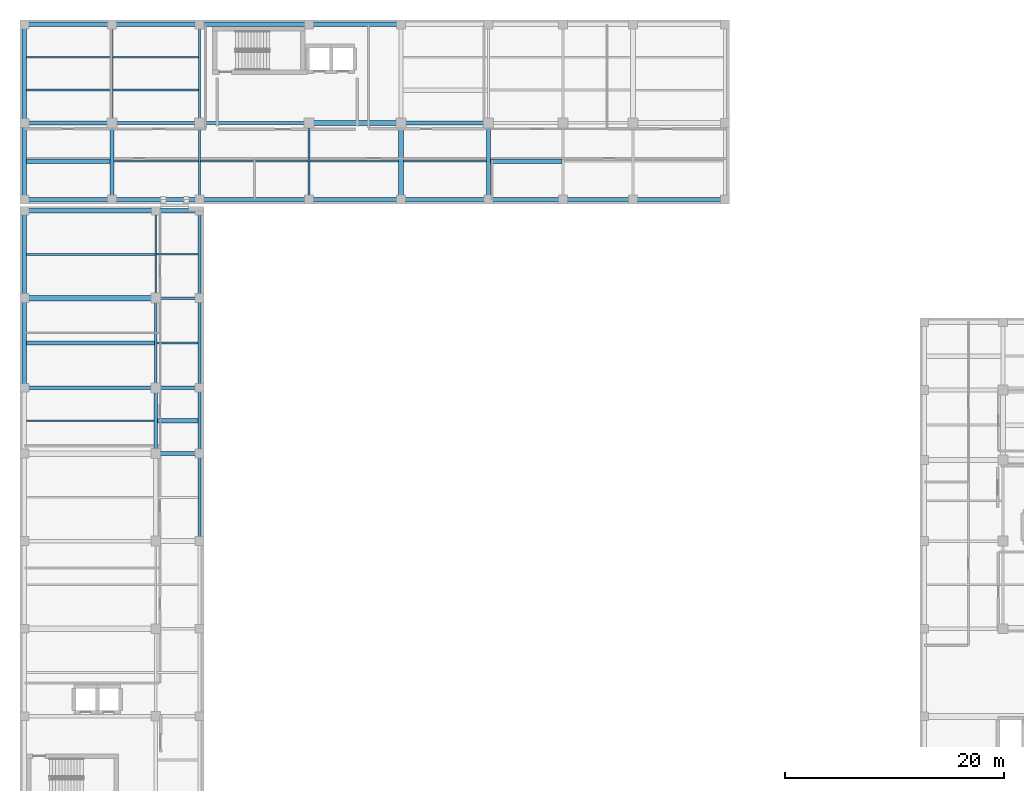
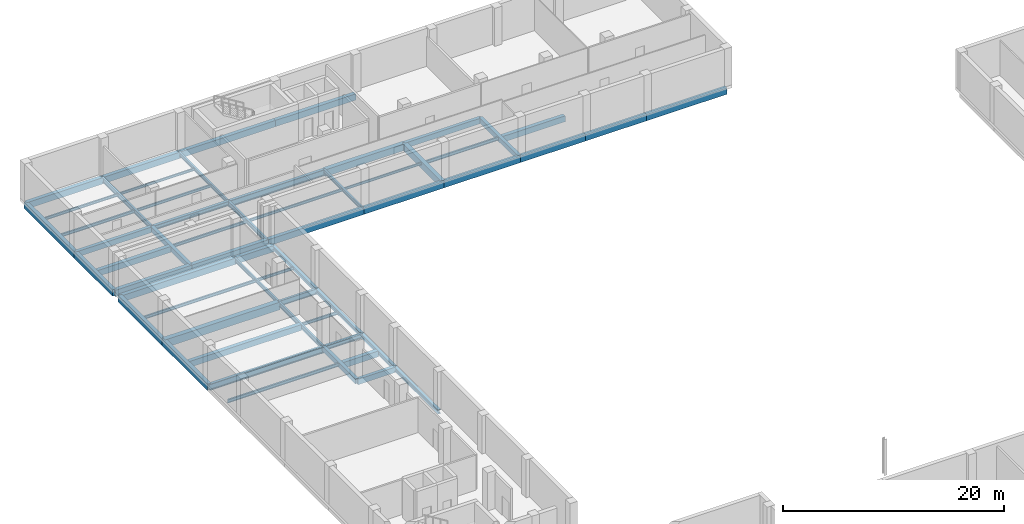
# One storey, part 11 of 31: 58 beams.
"""IFC4 building model written with IfcOpenShell, lengths in metres."""

from ifc_helpers import new_model, si_unit, direction, frame, origin, origin_2d, place, context, subcontext, project, spatial, rectangle, i_section, extrude, material, material_profile, profile_set, type_object, element, save


model = new_model("IFC4")

# Units and contexts
model_context = context("Model", 3, precision=1e-05, world=origin(), true_north=direction((0.0, 1.0)))
body_context = subcontext(model_context, "Body", "Model", "MODEL_VIEW")
ifc_project = project(units=[si_unit("LENGTHUNIT", "METRE"), si_unit("AREAUNIT", "SQUARE_METRE"), si_unit("VOLUMEUNIT", "CUBIC_METRE"), si_unit("PLANEANGLEUNIT", "RADIAN"), si_unit("MASSUNIT", "GRAM", prefix="KILO")], contexts=[model_context])

# Site, building, storey
site_placement = place(None, origin())
site = spatial("IfcSite", under=ifc_project, at=site_placement, CompositionType="ELEMENT")
building_placement = place(site_placement, origin())
building = spatial("IfcBuilding", under=site, at=building_placement, Name="Qalavern Law Courts", CompositionType="ELEMENT")
storey_placement = place(building_placement, frame((0.0, 0.0, -4.199951171875)))
storey = spatial("IfcBuildingStorey", under=building, at=storey_placement, Name="B1", CompositionType="ELEMENT", Elevation=-4.199951171875)

# Beams
ifc_material_1 = material(Name="Steel S355", Category="steel")
ifc_material_profile_1 = material_profile(ifc_material_1, i_section(OverallWidth=0.300048828125, OverallDepth=0.489990234375, WebThickness=0.011962890625, FlangeThickness=0.02294921875, FilletRadius=0.027099609375, at=origin_2d()), Name="HEA 500")
ifc_profile_set_1 = profile_set([ifc_material_profile_1], Name="Steel S355")
beam_type_1 = type_object("IfcBeamType", Name="STR-BM-HEA500", PredefinedType="BEAM", material=ifc_profile_set_1)
beam_1_placement = place(storey_placement, frame((14.39990234375, 79.39990234375, -0.56494140625), z_axis=(1.0, 0.0, 0.0), x_axis=(0.0, 1.0, 0.0)))
element("IfcBeam", 1, at=beam_1_placement, inside=storey, type_object=beam_type_1, Name="V3 X-beam 6-2 B1", PredefinedType="BEAM", context=body_context, shape_type="SweptSolid", body=[
    extrude(i_section(OverallWidth=0.300048828125, OverallDepth=0.489990234375, WebThickness=0.011962890625, FlangeThickness=0.02294921875, FilletRadius=0.027099609375, at=origin_2d()), origin(), (0.0, 0.0, 1.0), 4.0),
])
beam_2_placement = place(storey_placement, frame((10.39990234375, 103.60009765625, -0.56494140625), z_axis=(1.0, 0.0, 0.0), x_axis=(0.0, 1.0, 0.0)))
element("IfcBeam", 2, at=beam_2_placement, inside=storey, type_object=beam_type_1, Name="V5 X-beam 2-2 B1", PredefinedType="BEAM", context=body_context, shape_type="SweptSolid", body=[
    extrude(i_section(OverallWidth=0.300048828125, OverallDepth=0.489990234375, WebThickness=0.011962890625, FlangeThickness=0.02294921875, FilletRadius=0.027099609375, at=origin_2d()), origin(), (0.0, 0.0, 1.0), 8.0),
])
ifc_material_profile_2 = material_profile(ifc_material_1, i_section(OverallWidth=0.300048828125, OverallDepth=0.699951171875, WebThickness=0.01708984375, FlangeThickness=0.031982421875, FilletRadius=0.027099609375, at=origin_2d()), Name="HEB 700")
ifc_profile_set_2 = profile_set([ifc_material_profile_2], Name="Steel S355")
beam_type_2 = type_object("IfcBeamType", Name="STR-BM-HEB700", PredefinedType="BEAM", material=ifc_profile_set_2)
beam_3_placement = place(storey_placement, frame((2.39990234375, 79.39990234375, -0.670166015625), z_axis=(1.0, 0.0, 0.0), x_axis=(0.0, 1.0, 0.0)))
element("IfcBeam", 3, at=beam_3_placement, inside=storey, type_object=beam_type_2, Name="V3 X-beam 6-1 B1", PredefinedType="BEAM", context=body_context, shape_type="SweptSolid", body=[
    extrude(i_section(OverallWidth=0.300048828125, OverallDepth=0.699951171875, WebThickness=0.01708984375, FlangeThickness=0.031982421875, FilletRadius=0.027099609375, at=origin_2d()), origin(), (0.0, 0.0, 1.0), 12.0),
])
beam_4_placement = place(storey_placement, frame((18.39990234375, 103.60009765625, -0.670166015625), z_axis=(1.0, 0.0, 0.0), x_axis=(0.0, 1.0, 0.0)))
element("IfcBeam", 4, at=beam_4_placement, inside=storey, type_object=beam_type_2, Name="V5 X-beam 2-3 B1", PredefinedType="BEAM", context=body_context, shape_type="SweptSolid", body=[
    extrude(i_section(OverallWidth=0.300048828125, OverallDepth=0.699951171875, WebThickness=0.01708984375, FlangeThickness=0.031982421875, FilletRadius=0.027099609375, at=origin_2d()), origin(), (0.0, 0.0, 1.0), 10.0),
])
ifc_material_profile_3 = material_profile(ifc_material_1, i_section(OverallWidth=0.179931640625, OverallDepth=0.39990234375, WebThickness=0.008544921875, FlangeThickness=0.013427734375, FilletRadius=0.02099609375, at=origin_2d()), Name="IPE 400")
ifc_profile_set_3 = profile_set([ifc_material_profile_3], Name="Steel S355")
beam_type_3 = type_object("IfcBeamType", Name="STR-BM-IPE400", PredefinedType="BEAM", material=ifc_profile_set_3)
beam_5_placement = place(storey_placement, frame((14.39990234375, 87.60009765625, -0.52001953125), z_axis=(0.0, 1.0, 0.0), x_axis=(-1.0, 0.0, 0.0)))
element("IfcBeam", 5, at=beam_5_placement, inside=storey, type_object=beam_type_3, Name="V3 Y-beam 2-7 B1", PredefinedType="BEAM", context=body_context, shape_type="SweptSolid", body=[
    extrude(i_section(OverallWidth=0.179931640625, OverallDepth=0.39990234375, WebThickness=0.008544921875, FlangeThickness=0.013427734375, FilletRadius=0.02099609375, at=origin_2d()), origin(), (0.0, 0.0, 1.0), 7.97998046875),
])
beam_6_placement = place(storey_placement, frame((18.39990234375, 103.60009765625, -0.52001953125), z_axis=(0.0, 1.0, 0.0), x_axis=(-1.0, 0.0, 0.0)))
element("IfcBeam", 6, at=beam_6_placement, inside=storey, type_object=beam_type_3, Name="V5 Y-beam 3-2 B1", PredefinedType="BEAM", context=body_context, shape_type="SweptSolid", body=[
    extrude(i_section(OverallWidth=0.179931640625, OverallDepth=0.39990234375, WebThickness=0.008544921875, FlangeThickness=0.013427734375, FilletRadius=0.02099609375, at=origin_2d()), origin(), (0.0, 0.0, 1.0), 9.0),
])
beam_7_placement = place(storey_placement, frame((28.39990234375, 96.60009765625, -0.52001953125), z_axis=(0.0, 1.0, 0.0), x_axis=(-1.0, 0.0, 0.0)))
element("IfcBeam", 7, at=beam_7_placement, inside=storey, type_object=beam_type_3, Name="V5 Y-beam 4-1 B1", PredefinedType="BEAM", context=body_context, shape_type="SweptSolid", body=[
    extrude(i_section(OverallWidth=0.179931640625, OverallDepth=0.39990234375, WebThickness=0.008544921875, FlangeThickness=0.013427734375, FilletRadius=0.02099609375, at=origin_2d()), origin(), (0.0, 0.0, 1.0), 7.0),
])
ifc_material_profile_4 = material_profile(ifc_material_1, i_section(OverallWidth=0.199951171875, OverallDepth=0.5, WebThickness=0.01025390625, FlangeThickness=0.01611328125, FilletRadius=0.02099609375, at=origin_2d()), Name="IPE 500")
ifc_profile_set_4 = profile_set([ifc_material_profile_4], Name="Steel S355")
beam_type_4 = type_object("IfcBeamType", Name="STR-BM-IPE500", PredefinedType="BEAM", material=ifc_profile_set_4)
beam_8_placement = place(storey_placement, frame((14.39990234375, 79.39990234375, -0.570068359375), z_axis=(0.0, 1.0, 0.0), x_axis=(-1.0, 0.0, 0.0)))
element("IfcBeam", 8, at=beam_8_placement, inside=storey, type_object=beam_type_4, Name="V3 Y-beam 2-6 B1", PredefinedType="BEAM", context=body_context, shape_type="SweptSolid", body=[
    extrude(i_section(OverallWidth=0.199951171875, OverallDepth=0.5, WebThickness=0.01025390625, FlangeThickness=0.01611328125, FilletRadius=0.02099609375, at=origin_2d()), origin(), (0.0, 0.0, 1.0), 8.2001953125),
])
beam_9_placement = place(storey_placement, frame((10.39990234375, 103.60009765625, -0.570068359375), z_axis=(0.0, 1.0, 0.0), x_axis=(-1.0, 0.0, 0.0)))
element("IfcBeam", 9, at=beam_9_placement, inside=storey, type_object=beam_type_4, Name="V5 Y-beam 2-2 B1", PredefinedType="BEAM", context=body_context, shape_type="SweptSolid", body=[
    extrude(i_section(OverallWidth=0.199951171875, OverallDepth=0.5, WebThickness=0.01025390625, FlangeThickness=0.01611328125, FilletRadius=0.02099609375, at=origin_2d()), origin(), (0.0, 0.0, 1.0), 9.0),
])
beam_10_placement = place(storey_placement, frame((18.39990234375, 96.60009765625, -0.570068359375), z_axis=(0.0, 1.0, 0.0), x_axis=(-1.0, 0.0, 0.0)))
element("IfcBeam", 10, at=beam_10_placement, inside=storey, type_object=beam_type_4, Name="V5 Y-beam 3-1 B1", PredefinedType="BEAM", context=body_context, shape_type="SweptSolid", body=[
    extrude(i_section(OverallWidth=0.199951171875, OverallDepth=0.5, WebThickness=0.01025390625, FlangeThickness=0.01611328125, FilletRadius=0.02099609375, at=origin_2d()), origin(), (0.0, 0.0, 1.0), 7.0),
])
ifc_material_profile_5 = material_profile(ifc_material_1, i_section(OverallWidth=0.219970703125, OverallDepth=0.60009765625, WebThickness=0.011962890625, FlangeThickness=0.01904296875, FilletRadius=0.02392578125, at=origin_2d()), Name="IPE 600")
ifc_profile_set_5 = profile_set([ifc_material_profile_5], Name="Steel S355")
beam_type_5 = type_object("IfcBeamType", Name="STR-BM-IPE600", PredefinedType="BEAM", material=ifc_profile_set_5)
beam_11_placement = place(storey_placement, frame((14.39990234375, 87.60009765625, -0.6201171875), z_axis=(1.0, 0.0, 0.0), x_axis=(0.0, 1.0, 0.0)))
element("IfcBeam", 11, at=beam_11_placement, inside=storey, type_object=beam_type_5, Name="V3 X-beam 7-2 B1", PredefinedType="BEAM", context=body_context, shape_type="SweptSolid", body=[
    extrude(i_section(OverallWidth=0.219970703125, OverallDepth=0.60009765625, WebThickness=0.011962890625, FlangeThickness=0.01904296875, FilletRadius=0.02392578125, at=origin_2d()), origin(), (0.0, 0.0, 1.0), 4.0),
])
ifc_material_2 = material(Name="Concrete C35/45", Category="concrete")
ifc_material_profile_6 = material_profile(ifc_material_2, rectangle(XDim=0.35009765625, YDim=0.550048828125, at=origin_2d()), Name="RC 350x550")
ifc_profile_set_6 = profile_set([ifc_material_profile_6], Name="Concrete C35/45")
beam_type_6 = type_object("IfcBeamType", Name="STR-BM-RC350x550", PredefinedType="BEAM", material=ifc_profile_set_6)
beam_12_placement = place(storey_placement, frame((14.39990234375, 73.39990234375, -0.594970703125), z_axis=(0.0, 1.0, 0.0), x_axis=(-1.0, 0.0, 0.0)))
element("IfcBeam", 12, at=beam_12_placement, inside=storey, type_object=beam_type_6, Name="V3 Y-beam 2-5 B1", PredefinedType="BEAM", context=body_context, shape_type="SweptSolid", body=[
    extrude(rectangle(XDim=0.35009765625, YDim=0.550048828125, at=origin_2d()), origin(), (0.0, 0.0, 1.0), 6.0),
])
for number, where, z_axis, x_axis, name in (
    (13, (10.39990234375, 96.60009765625, -0.594970703125), (0.0, 1.0, 0.0), (-1.0, 0.0, 0.0), "V5 Y-beam 2-1 B1"),
    (14, (44.800048828125, 96.60009765625, -0.594970703125), (0.0, 1.0, 0.0), (-1.0, 0.0, 0.0), "V5 Y-beam 6-1 B1"),
):
    element("IfcBeam", number, at=place(storey_placement, frame(where, z_axis=z_axis, x_axis=x_axis)), inside=storey, type_object=beam_type_6, Name=name, PredefinedType="BEAM", context=body_context, shape_type="SweptSolid", body=[
        extrude(rectangle(XDim=0.35009765625, YDim=0.550048828125, at=origin_2d()), origin(), (0.0, 0.0, 1.0), 7.0),
    ])
ifc_material_profile_7 = material_profile(ifc_material_2, rectangle(XDim=0.35009765625, YDim=0.60009765625, at=origin_2d()), Name="RC 350x600")
ifc_profile_set_7 = profile_set([ifc_material_profile_7], Name="Concrete C35/45")
beam_type_7 = type_object("IfcBeamType", Name="STR-BM-RC350x600", PredefinedType="BEAM", material=ifc_profile_set_7)
beam_13_placement = place(storey_placement, frame((14.39990234375, 73.39990234375, -0.6201171875), z_axis=(1.0, 0.0, 0.0), x_axis=(0.0, 1.0, 0.0)))
element("IfcBeam", 15, at=beam_13_placement, inside=storey, type_object=beam_type_7, Name="V3 X-beam 5-2 B1", PredefinedType="BEAM", context=body_context, shape_type="SweptSolid", body=[
    extrude(rectangle(XDim=0.35009765625, YDim=0.60009765625, at=origin_2d()), origin(), (0.0, 0.0, 1.0), 4.0),
])
for number, where, z_axis, x_axis, name in (
    (16, (2.39990234375, 103.60009765625, -0.6201171875), (1.0, 0.0, 0.0), (0.0, 1.0, 0.0), "V5 X-beam 2-1 B1"),
    (17, (36.800048828125, 103.60009765625, -0.6201171875), (1.0, 0.0, 0.0), (0.0, 1.0, 0.0), "V5 X-beam 2-5 B1"),
):
    element("IfcBeam", number, at=place(storey_placement, frame(where, z_axis=z_axis, x_axis=x_axis)), inside=storey, type_object=beam_type_7, Name=name, PredefinedType="BEAM", context=body_context, shape_type="SweptSolid", body=[
        extrude(rectangle(XDim=0.35009765625, YDim=0.60009765625, at=origin_2d()), origin(), (0.0, 0.0, 1.0), 8.0),
    ])
ifc_material_3 = material(Name="Concrete C40/50", Category="concrete")
ifc_material_profile_8 = material_profile(ifc_material_3, rectangle(XDim=0.449951171875, YDim=0.75, at=origin_2d()), Name="RC 450x750")
ifc_profile_set_8 = profile_set([ifc_material_profile_8], Name="Concrete C40/50")
beam_type_8 = type_object("IfcBeamType", Name="STR-BM-RC450x750", PredefinedType="BEAM", material=ifc_profile_set_8)
beam_14_placement = place(storey_placement, frame((28.39990234375, 103.60009765625, -0.695068359375), z_axis=(1.0, 0.0, 0.0), x_axis=(0.0, 1.0, 0.0)))
element("IfcBeam", 18, at=beam_14_placement, inside=storey, type_object=beam_type_8, Name="V5 X-beam 2-4 B1", PredefinedType="BEAM", context=body_context, shape_type="SweptSolid", body=[
    extrude(rectangle(XDim=0.449951171875, YDim=0.75, at=origin_2d()), origin(), (0.0, 0.0, 1.0), 8.400146484375),
])
beam_15_placement = place(storey_placement, frame((36.800048828125, 96.60009765625, -0.695068359375), z_axis=(0.0, 1.0, 0.0), x_axis=(-1.0, 0.0, 0.0)))
element("IfcBeam", 19, at=beam_15_placement, inside=storey, type_object=beam_type_8, Name="V5 Y-beam 5-1 B1", PredefinedType="BEAM", context=body_context, shape_type="SweptSolid", body=[
    extrude(rectangle(XDim=0.449951171875, YDim=0.75, at=origin_2d()), origin(), (0.0, 0.0, 1.0), 7.0),
])
ifc_material_profile_9 = material_profile(ifc_material_3, rectangle(XDim=0.5, YDim=0.85009765625, at=origin_2d()), Name="RC 500x850")
ifc_profile_set_9 = profile_set([ifc_material_profile_9], Name="Concrete C40/50")
beam_type_9 = type_object("IfcBeamType", Name="STR-BM-RC500x850", PredefinedType="BEAM", material=ifc_profile_set_9)
beam_16_placement = place(storey_placement, frame((2.39990234375, 87.60009765625, -0.7451171875), z_axis=(1.0, 0.0, 0.0), x_axis=(0.0, 1.0, 0.0)))
element("IfcBeam", 20, at=beam_16_placement, inside=storey, type_object=beam_type_9, Name="V3 X-beam 7-1 B1", PredefinedType="BEAM", context=body_context, shape_type="SweptSolid", body=[
    extrude(rectangle(XDim=0.5, YDim=0.85009765625, at=origin_2d()), origin(), (0.0, 0.0, 1.0), 12.0),
])
ifc_material_profile_10 = material_profile(ifc_material_1, i_section(OverallWidth=0.135009765625, OverallDepth=0.27001953125, WebThickness=0.006591796875, FlangeThickness=0.01025390625, FilletRadius=0.014892578125, at=origin_2d()), Name="IPE 270")
ifc_profile_set_10 = profile_set([ifc_material_profile_10], Name="Steel S355")
beam_type_10 = type_object("IfcBeamType", Name="STR-JST-IPE270", PredefinedType="JOIST", material=ifc_profile_set_10)
beam_17_placement = place(storey_placement, frame((10.498046875, 109.60009765625, -0.455078125), z_axis=(1.0, 0.0, 0.0), x_axis=(0.0, 1.0, 0.0)))
element("IfcBeam", 21, at=beam_17_placement, inside=storey, type_object=beam_type_10, Name="V5 secondary joist 2.2.2 B1", PredefinedType="JOIST", context=body_context, shape_type="SweptSolid", body=[
    extrude(i_section(OverallWidth=0.135009765625, OverallDepth=0.27001953125, WebThickness=0.006591796875, FlangeThickness=0.01025390625, FilletRadius=0.014892578125, at=origin_2d()), origin(), (0.0, 0.0, 1.0), 7.81396484375),
])
beam_18_placement = place(storey_placement, frame((28.488037109375, 100.10009765625, -0.455078125), z_axis=(1.0, 0.0, 0.0), x_axis=(0.0, 1.0, 0.0)))
element("IfcBeam", 22, at=beam_18_placement, inside=storey, type_object=beam_type_10, Name="V5 secondary joist 4.1.1 B1", PredefinedType="JOIST", context=body_context, shape_type="SweptSolid", body=[
    extrude(i_section(OverallWidth=0.135009765625, OverallDepth=0.27001953125, WebThickness=0.006591796875, FlangeThickness=0.01025390625, FilletRadius=0.014892578125, at=origin_2d()), origin(), (0.0, 0.0, 1.0), 8.0888671875),
])
ifc_material_profile_11 = material_profile(ifc_material_1, i_section(OverallWidth=0.14990234375, OverallDepth=0.300048828125, WebThickness=0.007080078125, FlangeThickness=0.0107421875, FilletRadius=0.014892578125, at=origin_2d()), Name="IPE 300")
ifc_profile_set_11 = profile_set([ifc_material_profile_11], Name="Steel S355")
beam_type_11 = type_object("IfcBeamType", Name="STR-JST-IPE300", PredefinedType="JOIST", material=ifc_profile_set_11)
beam_19_placement = place(storey_placement, frame((14.488037109375, 91.590087890625, -0.469970703125), z_axis=(1.0, 0.0, 0.0), x_axis=(0.0, 1.0, 0.0)))
element("IfcBeam", 23, at=beam_19_placement, inside=storey, type_object=beam_type_11, Name="V3 secondary joist 2.7.1 B1", PredefinedType="JOIST", context=body_context, shape_type="SweptSolid", body=[
    extrude(i_section(OverallWidth=0.14990234375, OverallDepth=0.300048828125, WebThickness=0.007080078125, FlangeThickness=0.0107421875, FilletRadius=0.014892578125, at=origin_2d()), origin(), (0.0, 0.0, 1.0), 3.763916015625),
])
beam_20_placement = place(storey_placement, frame((2.597900390625, 109.60009765625, -0.469970703125), z_axis=(1.0, 0.0, 0.0), x_axis=(0.0, 1.0, 0.0)))
element("IfcBeam", 24, at=beam_20_placement, inside=storey, type_object=beam_type_11, Name="V5 secondary joist 1.2.2 B1", PredefinedType="JOIST", context=body_context, shape_type="SweptSolid", body=[
    extrude(i_section(OverallWidth=0.14990234375, OverallDepth=0.300048828125, WebThickness=0.007080078125, FlangeThickness=0.0107421875, FilletRadius=0.014892578125, at=origin_2d()), origin(), (0.0, 0.0, 1.0), 7.7041015625),
])
beam_21_placement = place(storey_placement, frame((10.498046875, 106.60009765625, -0.469970703125), z_axis=(1.0, 0.0, 0.0), x_axis=(0.0, 1.0, 0.0)))
element("IfcBeam", 25, at=beam_21_placement, inside=storey, type_object=beam_type_11, Name="V5 secondary joist 2.2.1 B1", PredefinedType="JOIST", context=body_context, shape_type="SweptSolid", body=[
    extrude(i_section(OverallWidth=0.14990234375, OverallDepth=0.300048828125, WebThickness=0.007080078125, FlangeThickness=0.0107421875, FilletRadius=0.014892578125, at=origin_2d()), origin(), (0.0, 0.0, 1.0), 7.81396484375),
])
beam_22_placement = place(storey_placement, frame((18.498046875, 100.10009765625, -0.469970703125), z_axis=(1.0, 0.0, 0.0), x_axis=(0.0, 1.0, 0.0)))
element("IfcBeam", 26, at=beam_22_placement, inside=storey, type_object=beam_type_11, Name="V5 secondary joist 3.1.1 B1", PredefinedType="JOIST", context=body_context, shape_type="SweptSolid", body=[
    extrude(i_section(OverallWidth=0.14990234375, OverallDepth=0.300048828125, WebThickness=0.007080078125, FlangeThickness=0.0107421875, FilletRadius=0.014892578125, at=origin_2d()), origin(), (0.0, 0.0, 1.0), 9.81396484375),
])
ifc_material_profile_12 = material_profile(ifc_material_1, i_section(OverallWidth=0.159912109375, OverallDepth=0.330078125, WebThickness=0.007568359375, FlangeThickness=0.011474609375, FilletRadius=0.01806640625, at=origin_2d()), Name="IPE 330")
ifc_profile_set_12 = profile_set([ifc_material_profile_12], Name="Steel S355")
beam_type_12 = type_object("IfcBeamType", Name="STR-JST-IPE330", PredefinedType="JOIST", material=ifc_profile_set_12)
beam_23_placement = place(storey_placement, frame((2.597900390625, 91.590087890625, -0.485107421875), z_axis=(1.0, 0.0, 0.0), x_axis=(0.0, 1.0, 0.0)))
element("IfcBeam", 27, at=beam_23_placement, inside=storey, type_object=beam_type_12, Name="V3 secondary joist 1.7.1 B1", PredefinedType="JOIST", context=body_context, shape_type="SweptSolid", body=[
    extrude(i_section(OverallWidth=0.159912109375, OverallDepth=0.330078125, WebThickness=0.007568359375, FlangeThickness=0.011474609375, FilletRadius=0.01806640625, at=origin_2d()), origin(), (0.0, 0.0, 1.0), 11.714111328125),
])
beam_24_placement = place(storey_placement, frame((14.498046875, 83.5, -0.485107421875), z_axis=(1.0, 0.0, 0.0), x_axis=(0.0, 1.0, 0.0)))
element("IfcBeam", 28, at=beam_24_placement, inside=storey, type_object=beam_type_12, Name="V3 secondary joist 2.6.1 B1", PredefinedType="JOIST", context=body_context, shape_type="SweptSolid", body=[
    extrude(i_section(OverallWidth=0.159912109375, OverallDepth=0.330078125, WebThickness=0.007568359375, FlangeThickness=0.011474609375, FilletRadius=0.01806640625, at=origin_2d()), origin(), (0.0, 0.0, 1.0), 3.75390625),
])
beam_25_placement = place(storey_placement, frame((2.597900390625, 106.60009765625, -0.485107421875), z_axis=(1.0, 0.0, 0.0), x_axis=(0.0, 1.0, 0.0)))
element("IfcBeam", 29, at=beam_25_placement, inside=storey, type_object=beam_type_12, Name="V5 secondary joist 1.2.1 B1", PredefinedType="JOIST", context=body_context, shape_type="SweptSolid", body=[
    extrude(i_section(OverallWidth=0.159912109375, OverallDepth=0.330078125, WebThickness=0.007568359375, FlangeThickness=0.011474609375, FilletRadius=0.01806640625, at=origin_2d()), origin(), (0.0, 0.0, 1.0), 7.7041015625),
])
beam_26_placement = place(storey_placement, frame((10.572998046875, 100.10009765625, -0.485107421875), z_axis=(1.0, 0.0, 0.0), x_axis=(0.0, 1.0, 0.0)))
element("IfcBeam", 30, at=beam_26_placement, inside=storey, type_object=beam_type_12, Name="V5 secondary joist 2.1.1 B1", PredefinedType="JOIST", context=body_context, shape_type="SweptSolid", body=[
    extrude(i_section(OverallWidth=0.159912109375, OverallDepth=0.330078125, WebThickness=0.007568359375, FlangeThickness=0.011474609375, FilletRadius=0.01806640625, at=origin_2d()), origin(), (0.0, 0.0, 1.0), 7.72900390625),
])
ifc_material_profile_13 = material_profile(ifc_material_1, i_section(OverallWidth=0.169921875, OverallDepth=0.360107421875, WebThickness=0.008056640625, FlangeThickness=0.0126953125, FilletRadius=0.01806640625, at=origin_2d()), Name="IPE 360")
ifc_profile_set_13 = profile_set([ifc_material_profile_13], Name="Steel S355")
beam_type_13 = type_object("IfcBeamType", Name="STR-JST-IPE360", PredefinedType="JOIST", material=ifc_profile_set_13)
beam_27_placement = place(storey_placement, frame((2.597900390625, 76.39990234375, -0.5), z_axis=(1.0, 0.0, 0.0), x_axis=(0.0, 1.0, 0.0)))
element("IfcBeam", 31, at=beam_27_placement, inside=storey, type_object=beam_type_13, Name="V3 secondary joist 1.5.1 B1", PredefinedType="JOIST", context=body_context, shape_type="SweptSolid", body=[
    extrude(i_section(OverallWidth=0.169921875, OverallDepth=0.360107421875, WebThickness=0.008056640625, FlangeThickness=0.0126953125, FilletRadius=0.01806640625, at=origin_2d()), origin(), (0.0, 0.0, 1.0), 11.629150390625),
])
beam_28_placement = place(storey_placement, frame((37.02294921875, 100.10009765625, -0.5), z_axis=(1.0, 0.0, 0.0), x_axis=(0.0, 1.0, 0.0)))
element("IfcBeam", 32, at=beam_28_placement, inside=storey, type_object=beam_type_13, Name="V5 secondary joist 5.1.1 B1", PredefinedType="JOIST", context=body_context, shape_type="SweptSolid", body=[
    extrude(i_section(OverallWidth=0.169921875, OverallDepth=0.360107421875, WebThickness=0.008056640625, FlangeThickness=0.0126953125, FilletRadius=0.01806640625, at=origin_2d()), origin(), (0.0, 0.0, 1.0), 7.60400390625),
])
ifc_material_profile_14 = material_profile(ifc_material_2, rectangle(XDim=0.39990234375, YDim=0.64990234375, at=origin_2d()), Name="RC 400x650")
ifc_profile_set_14 = profile_set([ifc_material_profile_14], Name="Concrete C35/45")
beam_type_14 = type_object("IfcBeamType", Name="STR-JST-RC400x650", PredefinedType="JOIST", material=ifc_profile_set_14)
beam_29_placement = place(storey_placement, frame((2.597900390625, 83.5, -0.64501953125), z_axis=(1.0, 0.0, 0.0), x_axis=(0.0, 1.0, 0.0)))
element("IfcBeam", 33, at=beam_29_placement, inside=storey, type_object=beam_type_14, Name="V3 secondary joist 1.6.1 B1", PredefinedType="JOIST", context=body_context, shape_type="SweptSolid", body=[
    extrude(rectangle(XDim=0.39990234375, YDim=0.64990234375, at=origin_2d()), origin(), (0.0, 0.0, 1.0), 11.7041015625),
])
beam_30_placement = place(storey_placement, frame((14.572998046875, 76.39990234375, -0.64501953125), z_axis=(1.0, 0.0, 0.0), x_axis=(0.0, 1.0, 0.0)))
element("IfcBeam", 34, at=beam_30_placement, inside=storey, type_object=beam_type_14, Name="V3 secondary joist 2.5.1 B1", PredefinedType="JOIST", context=body_context, shape_type="SweptSolid", body=[
    extrude(rectangle(XDim=0.39990234375, YDim=0.64990234375, at=origin_2d()), origin(), (0.0, 0.0, 1.0), 3.678955078125),
])
beam_31_placement = place(storey_placement, frame((2.597900390625, 100.10009765625, -0.64501953125), z_axis=(1.0, 0.0, 0.0), x_axis=(0.0, 1.0, 0.0)))
element("IfcBeam", 35, at=beam_31_placement, inside=storey, type_object=beam_type_14, Name="V5 secondary joist 1.1.1 B1", PredefinedType="JOIST", context=body_context, shape_type="SweptSolid", body=[
    extrude(rectangle(XDim=0.39990234375, YDim=0.64990234375, at=origin_2d()), origin(), (0.0, 0.0, 1.0), 7.629150390625),
])
beam_32_placement = place(storey_placement, frame((44.972900390625, 100.10009765625, -0.64501953125), z_axis=(1.0, 0.0, 0.0), x_axis=(0.0, 1.0, 0.0)))
element("IfcBeam", 36, at=beam_32_placement, inside=storey, type_object=beam_type_14, Name="V5 secondary joist 6.1.1 B1", PredefinedType="JOIST", context=body_context, shape_type="SweptSolid", body=[
    extrude(rectangle(XDim=0.39990234375, YDim=0.64990234375, at=origin_2d()), origin(), (0.0, 0.0, 1.0), 6.529052734375),
])
ifc_material_profile_15 = material_profile(ifc_material_1, i_section(OverallWidth=0.300048828125, OverallDepth=0.449951171875, WebThickness=0.013916015625, FlangeThickness=0.02587890625, FilletRadius=0.027099609375, at=origin_2d()), Name="HEB 450")
ifc_profile_set_15 = profile_set([ifc_material_profile_15], Name="Steel S355")
beam_type_15 = type_object("IfcBeamType", Name="STR-SP-HEB450", PredefinedType="SPANDREL", material=ifc_profile_set_15)
beam_33_placement = place(storey_placement, frame((18.39990234375, 65.39990234375, -0.545166015625), z_axis=(0.0, 1.0, 0.0), x_axis=(-1.0, 0.0, 0.0)))
element("IfcBeam", 37, at=beam_33_placement, inside=storey, type_object=beam_type_15, Name="V3 Y-beam 3-4 B1", PredefinedType="SPANDREL", context=body_context, shape_type="SweptSolid", body=[
    extrude(i_section(OverallWidth=0.300048828125, OverallDepth=0.449951171875, WebThickness=0.013916015625, FlangeThickness=0.02587890625, FilletRadius=0.027099609375, at=origin_2d()), origin(), (0.0, 0.0, 1.0), 8.0),
])
beam_34_placement = place(storey_placement, frame((18.39990234375, 73.39990234375, -0.545166015625), z_axis=(0.0, 1.0, 0.0), x_axis=(-1.0, 0.0, 0.0)))
element("IfcBeam", 38, at=beam_34_placement, inside=storey, type_object=beam_type_15, Name="V3 Y-beam 3-5 B1", PredefinedType="SPANDREL", context=body_context, shape_type="SweptSolid", body=[
    extrude(i_section(OverallWidth=0.300048828125, OverallDepth=0.449951171875, WebThickness=0.013916015625, FlangeThickness=0.02587890625, FilletRadius=0.027099609375, at=origin_2d()), origin(), (0.0, 0.0, 1.0), 6.0),
])
beam_35_placement = place(storey_placement, frame((18.39990234375, 79.39990234375, -0.545166015625), z_axis=(0.0, 1.0, 0.0), x_axis=(-1.0, 0.0, 0.0)))
element("IfcBeam", 39, at=beam_35_placement, inside=storey, type_object=beam_type_15, Name="V3 Y-beam 3-6 B1", PredefinedType="SPANDREL", context=body_context, shape_type="SweptSolid", body=[
    extrude(i_section(OverallWidth=0.300048828125, OverallDepth=0.449951171875, WebThickness=0.013916015625, FlangeThickness=0.02587890625, FilletRadius=0.027099609375, at=origin_2d()), origin(), (0.0, 0.0, 1.0), 8.2001953125),
])
beam_36_placement = place(storey_placement, frame((18.39990234375, 87.60009765625, -0.545166015625), z_axis=(0.0, 1.0, 0.0), x_axis=(-1.0, 0.0, 0.0)))
element("IfcBeam", 40, at=beam_36_placement, inside=storey, type_object=beam_type_15, Name="V3 Y-beam 3-7 B1", PredefinedType="SPANDREL", context=body_context, shape_type="SweptSolid", body=[
    extrude(i_section(OverallWidth=0.300048828125, OverallDepth=0.449951171875, WebThickness=0.013916015625, FlangeThickness=0.02587890625, FilletRadius=0.027099609375, at=origin_2d()), origin(), (0.0, 0.0, 1.0), 7.97998046875),
])
ifc_material_profile_16 = material_profile(ifc_material_3, rectangle(XDim=0.39990234375, YDim=0.699951171875, at=origin_2d()), Name="RC 400x700")
ifc_profile_set_16 = profile_set([ifc_material_profile_16], Name="Concrete C40/50")
beam_type_16 = type_object("IfcBeamType", Name="STR-SP-RC400x700", PredefinedType="SPANDREL", material=ifc_profile_set_16)
beam_37_placement = place(storey_placement, frame((2.39990234375, 95.580078125, -0.670166015625), z_axis=(1.0, 0.0, 0.0), x_axis=(0.0, 1.0, 0.0)))
element("IfcBeam", 41, at=beam_37_placement, inside=storey, type_object=beam_type_16, Name="V3 X-beam 8-1 B1", PredefinedType="SPANDREL", context=body_context, shape_type="SweptSolid", body=[
    extrude(rectangle(XDim=0.39990234375, YDim=0.699951171875, at=origin_2d()), origin(), (0.0, 0.0, 1.0), 12.0),
])
beam_38_placement = place(storey_placement, frame((14.39990234375, 95.580078125, -0.670166015625), z_axis=(1.0, 0.0, 0.0), x_axis=(0.0, 1.0, 0.0)))
element("IfcBeam", 42, at=beam_38_placement, inside=storey, type_object=beam_type_16, Name="V3 X-beam 8-2 B1", PredefinedType="SPANDREL", context=body_context, shape_type="SweptSolid", body=[
    extrude(rectangle(XDim=0.39990234375, YDim=0.699951171875, at=origin_2d()), origin(), (0.0, 0.0, 1.0), 4.0),
])
beam_39_placement = place(storey_placement, frame((2.39990234375, 79.39990234375, -0.670166015625), z_axis=(0.0, 1.0, 0.0), x_axis=(-1.0, 0.0, 0.0)))
element("IfcBeam", 43, at=beam_39_placement, inside=storey, type_object=beam_type_16, Name="V3 Y-beam 1-6 B1", PredefinedType="SPANDREL", context=body_context, shape_type="SweptSolid", body=[
    extrude(rectangle(XDim=0.39990234375, YDim=0.699951171875, at=origin_2d()), origin(), (0.0, 0.0, 1.0), 8.2001953125),
])
beam_40_placement = place(storey_placement, frame((2.39990234375, 87.60009765625, -0.670166015625), z_axis=(0.0, 1.0, 0.0), x_axis=(-1.0, 0.0, 0.0)))
element("IfcBeam", 44, at=beam_40_placement, inside=storey, type_object=beam_type_16, Name="V3 Y-beam 1-7 B1", PredefinedType="SPANDREL", context=body_context, shape_type="SweptSolid", body=[
    extrude(rectangle(XDim=0.39990234375, YDim=0.699951171875, at=origin_2d()), origin(), (0.0, 0.0, 1.0), 7.97998046875),
])
for number, where, z_axis, x_axis, name in (
    (45, (2.39990234375, 96.60009765625, -0.670166015625), (1.0, 0.0, 0.0), (0.0, 1.0, 0.0), "V5 X-beam 1-1 B1"),
    (46, (10.39990234375, 96.60009765625, -0.670166015625), (1.0, 0.0, 0.0), (0.0, 1.0, 0.0), "V5 X-beam 1-2 B1"),
):
    element("IfcBeam", number, at=place(storey_placement, frame(where, z_axis=z_axis, x_axis=x_axis)), inside=storey, type_object=beam_type_16, Name=name, PredefinedType="SPANDREL", context=body_context, shape_type="SweptSolid", body=[
        extrude(rectangle(XDim=0.39990234375, YDim=0.699951171875, at=origin_2d()), origin(), (0.0, 0.0, 1.0), 8.0),
    ])
beam_41_placement = place(storey_placement, frame((18.39990234375, 96.60009765625, -0.670166015625), z_axis=(1.0, 0.0, 0.0), x_axis=(0.0, 1.0, 0.0)))
element("IfcBeam", 47, at=beam_41_placement, inside=storey, type_object=beam_type_16, Name="V5 X-beam 1-3 B1", PredefinedType="SPANDREL", context=body_context, shape_type="SweptSolid", body=[
    extrude(rectangle(XDim=0.39990234375, YDim=0.699951171875, at=origin_2d()), origin(), (0.0, 0.0, 1.0), 10.0),
])
beam_42_placement = place(storey_placement, frame((28.39990234375, 96.60009765625, -0.670166015625), z_axis=(1.0, 0.0, 0.0), x_axis=(0.0, 1.0, 0.0)))
element("IfcBeam", 48, at=beam_42_placement, inside=storey, type_object=beam_type_16, Name="V5 X-beam 1-4 B1", PredefinedType="SPANDREL", context=body_context, shape_type="SweptSolid", body=[
    extrude(rectangle(XDim=0.39990234375, YDim=0.699951171875, at=origin_2d()), origin(), (0.0, 0.0, 1.0), 8.400146484375),
])
beam_43_placement = place(storey_placement, frame((36.800048828125, 96.60009765625, -0.670166015625), z_axis=(1.0, 0.0, 0.0), x_axis=(0.0, 1.0, 0.0)))
element("IfcBeam", 49, at=beam_43_placement, inside=storey, type_object=beam_type_16, Name="V5 X-beam 1-5 B1", PredefinedType="SPANDREL", context=body_context, shape_type="SweptSolid", body=[
    extrude(rectangle(XDim=0.39990234375, YDim=0.699951171875, at=origin_2d()), origin(), (0.0, 0.0, 1.0), 8.0),
])
beam_44_placement = place(storey_placement, frame((44.800048828125, 96.60009765625, -0.670166015625), z_axis=(1.0, 0.0, 0.0), x_axis=(0.0, 1.0, 0.0)))
element("IfcBeam", 50, at=beam_44_placement, inside=storey, type_object=beam_type_16, Name="V5 X-beam 1-6 B1", PredefinedType="SPANDREL", context=body_context, shape_type="SweptSolid", body=[
    extrude(rectangle(XDim=0.39990234375, YDim=0.699951171875, at=origin_2d()), origin(), (0.0, 0.0, 1.0), 6.800048828125),
])
beam_45_placement = place(storey_placement, frame((51.60009765625, 96.60009765625, -0.670166015625), z_axis=(1.0, 0.0, 0.0), x_axis=(0.0, 1.0, 0.0)))
element("IfcBeam", 51, at=beam_45_placement, inside=storey, type_object=beam_type_16, Name="V5 X-beam 1-7 B1", PredefinedType="SPANDREL", context=body_context, shape_type="SweptSolid", body=[
    extrude(rectangle(XDim=0.39990234375, YDim=0.699951171875, at=origin_2d()), origin(), (0.0, 0.0, 1.0), 6.39990234375),
])
beam_46_placement = place(storey_placement, frame((58.0, 96.60009765625, -0.670166015625), z_axis=(1.0, 0.0, 0.0), x_axis=(0.0, 1.0, 0.0)))
element("IfcBeam", 52, at=beam_46_placement, inside=storey, type_object=beam_type_16, Name="V5 X-beam 1-8 B1", PredefinedType="SPANDREL", context=body_context, shape_type="SweptSolid", body=[
    extrude(rectangle(XDim=0.39990234375, YDim=0.699951171875, at=origin_2d()), origin(), (0.0, 0.0, 1.0), 8.39990234375),
])
for number, where, z_axis, x_axis, name in (
    (53, (2.39990234375, 112.60009765625, -0.670166015625), (1.0, 0.0, 0.0), (0.0, 1.0, 0.0), "V5 X-beam 3-1 B1"),
    (54, (10.39990234375, 112.60009765625, -0.670166015625), (1.0, 0.0, 0.0), (0.0, 1.0, 0.0), "V5 X-beam 3-2 B1"),
):
    element("IfcBeam", number, at=place(storey_placement, frame(where, z_axis=z_axis, x_axis=x_axis)), inside=storey, type_object=beam_type_16, Name=name, PredefinedType="SPANDREL", context=body_context, shape_type="SweptSolid", body=[
        extrude(rectangle(XDim=0.39990234375, YDim=0.699951171875, at=origin_2d()), origin(), (0.0, 0.0, 1.0), 8.0),
    ])
beam_47_placement = place(storey_placement, frame((18.39990234375, 112.60009765625, -0.670166015625), z_axis=(1.0, 0.0, 0.0), x_axis=(0.0, 1.0, 0.0)))
element("IfcBeam", 55, at=beam_47_placement, inside=storey, type_object=beam_type_16, Name="V5 X-beam 3-3 B1", PredefinedType="SPANDREL", context=body_context, shape_type="SweptSolid", body=[
    extrude(rectangle(XDim=0.39990234375, YDim=0.699951171875, at=origin_2d()), origin(), (0.0, 0.0, 1.0), 10.0),
])
beam_48_placement = place(storey_placement, frame((28.39990234375, 112.60009765625, -0.670166015625), z_axis=(1.0, 0.0, 0.0), x_axis=(0.0, 1.0, 0.0)))
element("IfcBeam", 56, at=beam_48_placement, inside=storey, type_object=beam_type_16, Name="V5 X-beam 3-4 B1", PredefinedType="SPANDREL", context=body_context, shape_type="SweptSolid", body=[
    extrude(rectangle(XDim=0.39990234375, YDim=0.699951171875, at=origin_2d()), origin(), (0.0, 0.0, 1.0), 8.400146484375),
])
beam_49_placement = place(storey_placement, frame((2.39990234375, 96.60009765625, -0.670166015625), z_axis=(0.0, 1.0, 0.0), x_axis=(-1.0, 0.0, 0.0)))
element("IfcBeam", 57, at=beam_49_placement, inside=storey, type_object=beam_type_16, Name="V5 Y-beam 1-1 B1", PredefinedType="SPANDREL", context=body_context, shape_type="SweptSolid", body=[
    extrude(rectangle(XDim=0.39990234375, YDim=0.699951171875, at=origin_2d()), origin(), (0.0, 0.0, 1.0), 7.0),
])
beam_50_placement = place(storey_placement, frame((2.39990234375, 103.60009765625, -0.670166015625), z_axis=(0.0, 1.0, 0.0), x_axis=(-1.0, 0.0, 0.0)))
element("IfcBeam", 58, at=beam_50_placement, inside=storey, type_object=beam_type_16, Name="V5 Y-beam 1-2 B1", PredefinedType="SPANDREL", context=body_context, shape_type="SweptSolid", body=[
    extrude(rectangle(XDim=0.39990234375, YDim=0.699951171875, at=origin_2d()), origin(), (0.0, 0.0, 1.0), 9.0),
])

save(model, "model.ifc")
